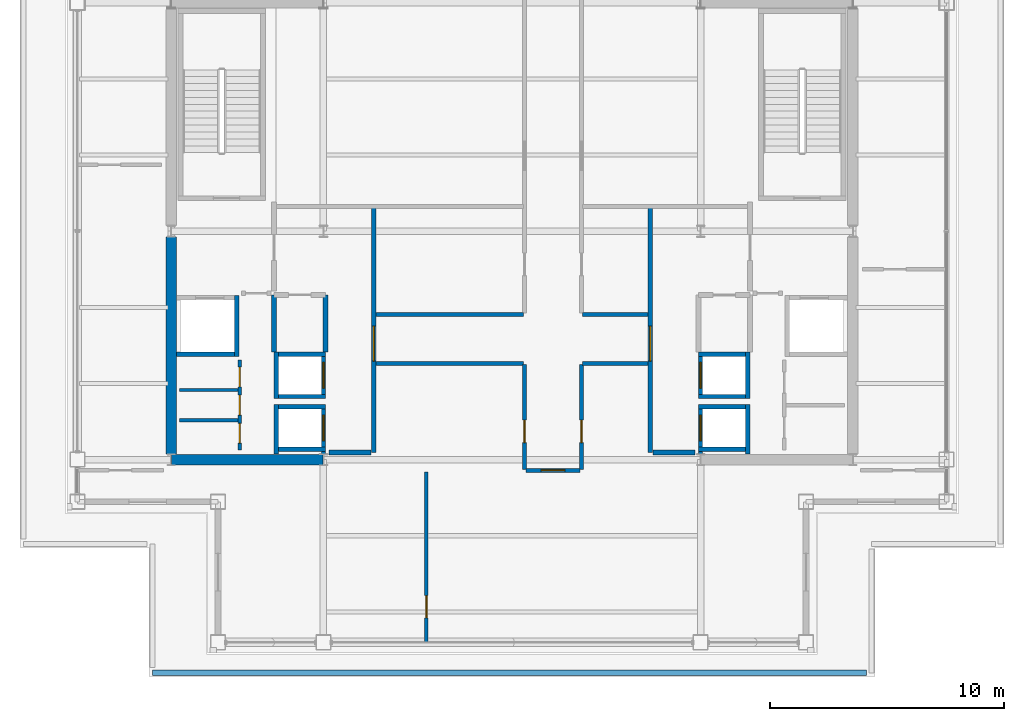
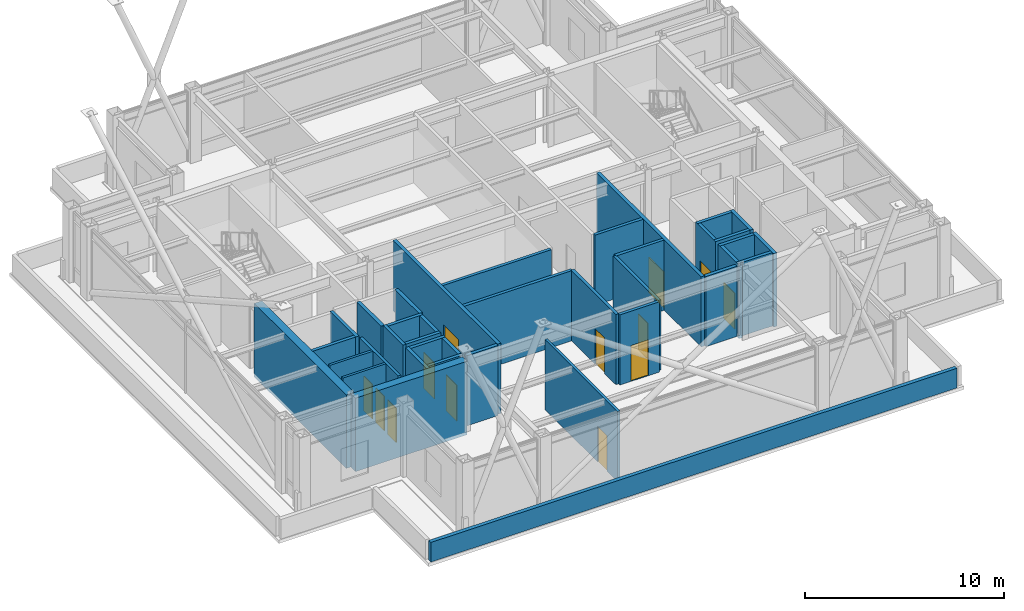
# One storey, part 15 of 19: 38 walls, 13 doors, 13 openings.
"""IFC4 building model written with IfcOpenShell, lengths in metres."""

from ifc_helpers import new_model, si_unit, direction, frame, frame_2d, origin, place, context, subcontext, project, spatial, rectangle, extrude, material, layer, layer_set, type_object, element, fill, save


model = new_model("IFC4")

# Units and contexts
model_context = context("Model", 3, precision=1e-05, world=origin(), true_north=direction((0.0, 1.0)))
body_context = subcontext(model_context, "Body", "Model", "MODEL_VIEW")
ifc_project = project(units=[si_unit("LENGTHUNIT", "METRE"), si_unit("AREAUNIT", "SQUARE_METRE"), si_unit("VOLUMEUNIT", "CUBIC_METRE"), si_unit("PLANEANGLEUNIT", "RADIAN"), si_unit("MASSUNIT", "GRAM", prefix="KILO")], contexts=[model_context])

# Site, building, storey
site_placement = place(None, origin())
site = spatial("IfcSite", under=ifc_project, at=site_placement, CompositionType="ELEMENT")
building_placement = place(site_placement, origin())
building = spatial("IfcBuilding", under=site, at=building_placement, Name="Brelmoor Portico Tower", CompositionType="ELEMENT")
storey_placement = place(building_placement, frame((0.0, 0.0, 213.89990234375)))
storey = spatial("IfcBuildingStorey", under=building, at=storey_placement, Name="L56", CompositionType="ELEMENT", Elevation=213.89990234375)

# Walls
ifc_material_1 = material(Name="Concrete C50", Category="concrete")
ifc_layer_1 = layer(ifc_material_1, 0.449951171875)
ifc_layer_set_1 = layer_set([ifc_layer_1], Name="Concrete C50")
wall_type_1 = type_object("IfcWallType", Name="WL-CORE-450", PredefinedType="SHEAR", material=ifc_layer_set_1)
wall_1_placement = place(storey_placement, frame((-14.530029296875, -9.75, -0.199951171875), z_axis=(0.0, 0.0, 1.0), x_axis=(1.0, 0.0, 0.0)))
element("IfcWall", 1, at=wall_1_placement, inside=storey, type_object=wall_type_1, Name="L56 WC South Shear Wall", PredefinedType="SHEAR", context=body_context, shape_type="SweptSolid", body=[
    extrude(rectangle(XDim=6.4599609375, YDim=0.449951171875, at=frame_2d((3.22998046875, 0.0))), origin(), (0.0, 0.0, 1.0), 4.5),
])
wall_2_placement = place(storey_placement, frame((-14.550048828125, -9.5, -0.199951171875), z_axis=(0.0, 0.0, 1.0), x_axis=(0.0, 1.0, 0.0)))
element("IfcWall", 2, at=wall_2_placement, inside=storey, type_object=wall_type_1, Name="L56 WC Outer South Shear Wall", PredefinedType="SHEAR", context=body_context, shape_type="SweptSolid", body=[
    extrude(rectangle(XDim=9.25, YDim=0.449951171875, at=frame_2d((4.625, 0.0))), origin(), (0.0, 0.0, 1.0), 4.5),
])
ifc_material_2 = material(Name="Concrete C40 Parapet Upstand", Category="concrete")
ifc_layer_2 = layer(ifc_material_2, 0.219970703125)
ifc_layer_set_2 = layer_set([ifc_layer_2], Name="Concrete C40 Parapet Upstand")
wall_type_2 = type_object("IfcWallType", Name="WL-PARAPET-220", PredefinedType="PARAPET", material=ifc_layer_set_2)
wall_3_placement = place(storey_placement, frame((-15.35009765625, -18.85009765625, 0.0), z_axis=(0.0, 0.0, 1.0), x_axis=(1.0, 0.0, 0.0)))
element("IfcWall", 3, at=wall_3_placement, inside=storey, type_object=wall_type_2, Name="L56 Roof Parapet Wall 01", PredefinedType="PARAPET", context=body_context, shape_type="SweptSolid", body=[
    extrude(rectangle(XDim=30.47998046875, YDim=0.219970703125, at=frame_2d((15.239990234375, 0.0))), origin(), (0.0, 0.0, 1.0), 1.2001953125),
])
ifc_material_3 = material(Name="Insulated Stud Suite Partition", Category="gypsum")
ifc_layer_3 = layer(ifc_material_3, 0.139892578125)
ifc_layer_set_3 = layer_set([ifc_layer_3], Name="Insulated Stud Suite Partition")
wall_type_3 = type_object("IfcWallType", Name="WL-PART-140", PredefinedType="PARTITIONING", material=ifc_layer_set_3)
for number, where, z_axis, x_axis, name in (
    (4, (-11.699951171875, -8.066650390625, 0.0), (0.0, 0.0, 1.0), (-1.0, 0.0, 0.0), "L56 W Core WC Divider 1"),
    (5, (-11.699951171875, -6.783203125, 0.0), (0.0, 0.0, 1.0), (-1.0, 0.0, 0.0), "L56 W Core WC Divider 2"),
):
    element("IfcWall", number, at=place(storey_placement, frame(where, z_axis=z_axis, x_axis=x_axis)), inside=storey, type_object=wall_type_3, Name=name, PredefinedType="PARTITIONING", context=body_context, shape_type="SweptSolid", body=[
        extrude(rectangle(XDim=2.5, YDim=0.139892578125, at=frame_2d((1.25, 0.0))), origin(), (0.0, 0.0, 1.0), 4.300048828125),
    ])

# Wall, opening, door
ifc_material_4 = material(Name="Wet-Area Moisture-Resistant Partition", Category="gypsum")
ifc_layer_4 = layer(ifc_material_4, 0.14990234375)
ifc_layer_set_4 = layer_set([ifc_layer_4], Name="Wet-Area Moisture-Resistant Partition")
wall_type_4 = type_object("IfcWallType", Name="WL-PART-150", PredefinedType="PARTITIONING", material=ifc_layer_set_4)
wall_4_placement = place(storey_placement, frame((-3.651123046875, -17.56005859375, 0.0), z_axis=(0.0, 0.0, 1.0), x_axis=(0.0, 1.0, 0.0)))
wall_4 = element("IfcWall", 6, at=wall_4_placement, inside=storey, type_object=wall_type_4, Name="L56 South Suite Partition 1", PredefinedType="PARTITIONING", context=body_context, shape_type="SweptSolid", body=[
    extrude(rectangle(XDim=7.2900390625, YDim=0.14990234375, at=frame_2d((3.64501953125, 0.0))), origin(), (0.0, 0.0, 1.0), 4.300048828125),
])
opening_1_placement = place(wall_4_placement, frame((1.050048828125, 0.0, 0.0)))
opening_1 = element("IfcOpeningElement", 7, at=opening_1_placement, cuts=wall_4, Name="Opening D-IN2", PredefinedType="OPENING", context=body_context, shape_type="SweptSolid", body=[
    extrude(rectangle(XDim=0.9599609375, YDim=2.179931640625, at=frame_2d((0.47998046875, 1.08984375))), frame((0.0, 0.0849609375, 0.0), z_axis=(0.0, -1.0, 0.0), x_axis=(1.0, 0.0, 0.0)), (0.0, 0.0, 1.0), 0.169921875),
])
ifc_material_5 = material(Name="Lacquered Timber Suite Door", Category="wood")
door_type_1 = type_object("IfcDoorType", Name="DR-INT-950", OperationType="NOTDEFINED", PredefinedType="DOOR", material=ifc_material_5)
door_1_placement = place(opening_1_placement, origin())
door_1 = element("IfcDoor", 8, at=door_1_placement, inside=storey, type_object=door_type_1, Name="D-2351 L56 South Suite Connecting Door 1", OperationType="SINGLE_SWING_LEFT", OverallHeight=2.179931640625, OverallWidth=0.9599609375, PredefinedType="DOOR", context=body_context, shape_type="SweptSolid", body=[
    extrude(rectangle(XDim=0.9599609375, YDim=2.179931640625, at=frame_2d((0.47998046875, 1.08984375))), frame((0.0, 0.02490234375, 0.0), z_axis=(0.0, -1.0, 0.0), x_axis=(1.0, 0.0, 0.0)), (0.0, 0.0, 1.0), 0.050048828125),
])
fill(opening_1, door_1)

# Wall, openings, doors
ifc_material_6 = material(Name="Twin-Frame Acoustic Partition", Category="gypsum")
ifc_layer_5 = layer(ifc_material_6, 0.159912109375)
ifc_layer_set_5 = layer_set([ifc_layer_5], Name="Twin-Frame Acoustic Partition")
wall_type_5 = type_object("IfcWallType", Name="WL-PART-160", PredefinedType="PARTITIONING", material=ifc_layer_set_5)
wall_5_placement = place(storey_placement, frame((-11.6201171875, -9.35009765625, 0.0), z_axis=(0.0, 0.0, 1.0), x_axis=(0.0, 1.0, 0.0)))
wall_5 = element("IfcWall", 9, at=wall_5_placement, inside=storey, type_object=wall_type_5, Name="L56 W Core Service Front Wall", PredefinedType="PARTITIONING", context=body_context, shape_type="SweptSolid", body=[
    extrude(rectangle(XDim=3.85009765625, YDim=0.159912109375, at=frame_2d((1.925048828125, 0.0))), origin(), (0.0, 0.0, 1.0), 4.300048828125),
])
opening_2_placement = place(wall_5_placement, frame((0.300048828125, 0.0, 0.0)))
opening_2 = element("IfcOpeningElement", 10, at=opening_2_placement, cuts=wall_5, Name="Opening D-WC1", PredefinedType="OPENING", context=body_context, shape_type="SweptSolid", body=[
    extrude(rectangle(XDim=0.85009765625, YDim=2.1201171875, at=frame_2d((0.425048828125, 1.06005859375))), frame((0.0, 0.08984375, 0.0), z_axis=(0.0, -1.0, 0.0), x_axis=(1.0, 0.0, 0.0)), (0.0, 0.0, 1.0), 0.179931640625),
])
opening_3_placement = place(wall_5_placement, frame((1.5, 0.0, 0.0)))
opening_3 = element("IfcOpeningElement", 11, at=opening_3_placement, cuts=wall_5, Name="Opening D-WC1", PredefinedType="OPENING", context=body_context, shape_type="SweptSolid", body=[
    extrude(rectangle(XDim=0.85009765625, YDim=2.1201171875, at=frame_2d((0.425048828125, 1.06005859375))), frame((0.0, 0.08984375, 0.0), z_axis=(0.0, -1.0, 0.0), x_axis=(1.0, 0.0, 0.0)), (0.0, 0.0, 1.0), 0.179931640625),
])
opening_4_placement = place(wall_5_placement, frame((2.699951171875, 0.0, 0.0)))
opening_4 = element("IfcOpeningElement", 12, at=opening_4_placement, cuts=wall_5, Name="Opening D-WC1", PredefinedType="OPENING", context=body_context, shape_type="SweptSolid", body=[
    extrude(rectangle(XDim=0.85009765625, YDim=2.1201171875, at=frame_2d((0.425048828125, 1.06005859375))), frame((0.0, 0.08984375, 0.0), z_axis=(0.0, -1.0, 0.0), x_axis=(1.0, 0.0, 0.0)), (0.0, 0.0, 1.0), 0.179931640625),
])
ifc_material_7 = material(Name="Moisture-Resistant Laminate WC Door", Category="timber")
door_type_2 = type_object("IfcDoorType", Name="DR-WC-850", OperationType="NOTDEFINED", PredefinedType="DOOR", material=ifc_material_7)
door_2_placement = place(opening_2_placement, origin())
door_2 = element("IfcDoor", 13, at=door_2_placement, inside=storey, type_object=door_type_2, Name="D-2336 L56 W Accessible WC Door", OperationType="SINGLE_SWING_LEFT", OverallHeight=2.1201171875, OverallWidth=0.85009765625, PredefinedType="DOOR", context=body_context, shape_type="SweptSolid", body=[
    extrude(rectangle(XDim=0.85009765625, YDim=2.1201171875, at=frame_2d((0.425048828125, 1.06005859375))), frame((0.0, 0.02490234375, 0.0), z_axis=(0.0, -1.0, 0.0), x_axis=(1.0, 0.0, 0.0)), (0.0, 0.0, 1.0), 0.050048828125),
])
fill(opening_2, door_2)
door_3_placement = place(opening_3_placement, origin())
door_3 = element("IfcDoor", 14, at=door_3_placement, inside=storey, type_object=door_type_2, Name="D-2337 L56 W Staff WC Door", OperationType="SINGLE_SWING_RIGHT", OverallHeight=2.1201171875, OverallWidth=0.85009765625, PredefinedType="DOOR", context=body_context, shape_type="SweptSolid", body=[
    extrude(rectangle(XDim=0.85009765625, YDim=2.1201171875, at=frame_2d((0.425048828125, 1.06005859375))), frame((0.0, 0.02490234375, 0.0), z_axis=(0.0, -1.0, 0.0), x_axis=(1.0, 0.0, 0.0)), (0.0, 0.0, 1.0), 0.050048828125),
])
fill(opening_3, door_3)
door_4_placement = place(opening_4_placement, origin())
door_4 = element("IfcDoor", 15, at=door_4_placement, inside=storey, type_object=door_type_2, Name="D-2338 L56 W Cleaner Store Door", OperationType="SINGLE_SWING_LEFT", OverallHeight=2.1201171875, OverallWidth=0.85009765625, PredefinedType="DOOR", context=body_context, shape_type="SweptSolid", body=[
    extrude(rectangle(XDim=0.85009765625, YDim=2.1201171875, at=frame_2d((0.425048828125, 1.06005859375))), frame((0.0, 0.02490234375, 0.0), z_axis=(0.0, -1.0, 0.0), x_axis=(1.0, 0.0, 0.0)), (0.0, 0.0, 1.0), 0.050048828125),
])
fill(opening_4, door_4)

# Walls
ifc_material_8 = material(Name="Acoustic Corridor Fire Partition", Category="gypsum")
ifc_layer_6 = layer(ifc_material_8, 0.179931640625)
ifc_layer_set_6 = layer_set([ifc_layer_6], Name="Acoustic Corridor Fire Partition")
wall_type_6 = type_object("IfcWallType", Name="WL-PART-180", PredefinedType="PARTITIONING", material=ifc_layer_set_6)
wall_6_placement = place(storey_placement, frame((-5.800048828125, -3.550048828125, 0.0), z_axis=(0.0, 0.0, 1.0), x_axis=(1.0, 0.0, 0.0)))
element("IfcWall", 16, at=wall_6_placement, inside=storey, type_object=wall_type_6, Name="L56 West Pantry South Wall", PredefinedType="PARTITIONING", context=body_context, shape_type="SweptSolid", body=[
    extrude(rectangle(XDim=6.2900390625, YDim=0.179931640625, at=frame_2d((3.14501953125, 0.0))), origin(), (0.0, 0.0, 1.0), 4.300048828125),
])
wall_7_placement = place(storey_placement, frame((3.010009765625, -3.550048828125, 0.0), z_axis=(0.0, 0.0, 1.0), x_axis=(1.0, 0.0, 0.0)))
element("IfcWall", 17, at=wall_7_placement, inside=storey, type_object=wall_type_6, Name="L56 East Office South Wall", PredefinedType="PARTITIONING", context=body_context, shape_type="SweptSolid", body=[
    extrude(rectangle(XDim=2.7900390625, YDim=0.179931640625, at=frame_2d((1.39501953125, 0.0))), origin(), (0.0, 0.0, 1.0), 4.300048828125),
])

# Wall, opening, door
wall_8_placement = place(storey_placement, frame((0.530029296875, -10.169921875, 0.0), z_axis=(0.0, 0.0, 1.0), x_axis=(0.0, 1.0, 0.0)))
wall_8 = element("IfcWall", 18, at=wall_8_placement, inside=storey, type_object=wall_type_6, Name="L56 South Cross West Wall", PredefinedType="PARTITIONING", context=body_context, shape_type="SweptSolid", body=[
    extrude(rectangle(XDim=4.489990234375, YDim=0.179931640625, at=frame_2d((2.2451171875, 0.0))), origin(), (0.0, 0.0, 1.0), 4.300048828125),
])
opening_5_placement = place(wall_8_placement, frame((1.14990234375, 0.0, 0.0)))
opening_5 = element("IfcOpeningElement", 19, at=opening_5_placement, cuts=wall_8, Name="Opening D-IN2", PredefinedType="OPENING", context=body_context, shape_type="SweptSolid", body=[
    extrude(rectangle(XDim=0.9599609375, YDim=2.179931640625, at=frame_2d((0.47998046875, 1.08984375))), frame((0.0, 0.099853515625, 0.0), z_axis=(0.0, -1.0, 0.0), x_axis=(1.0, 0.0, 0.0)), (0.0, 0.0, 1.0), 0.199951171875),
])
door_5_placement = place(opening_5_placement, origin())
door_5 = element("IfcDoor", 20, at=door_5_placement, inside=storey, type_object=door_type_1, Name="D-2329 L56 South-West Archive Room Door", OperationType="SINGLE_SWING_LEFT", OverallHeight=2.179931640625, OverallWidth=0.9599609375, PredefinedType="DOOR", context=body_context, shape_type="SweptSolid", body=[
    extrude(rectangle(XDim=0.9599609375, YDim=2.179931640625, at=frame_2d((0.47998046875, 1.08984375))), frame((0.0, 0.02490234375, 0.0), z_axis=(0.0, -1.0, 0.0), x_axis=(1.0, 0.0, 0.0)), (0.0, 0.0, 1.0), 0.050048828125),
])
fill(opening_5, door_5)

wall_9_placement = place(storey_placement, frame((2.969970703125, -10.169921875, 0.0), z_axis=(0.0, 0.0, 1.0), x_axis=(0.0, 1.0, 0.0)))
wall_9 = element("IfcWall", 21, at=wall_9_placement, inside=storey, type_object=wall_type_6, Name="L56 South Cross East Wall", PredefinedType="PARTITIONING", context=body_context, shape_type="SweptSolid", body=[
    extrude(rectangle(XDim=4.489990234375, YDim=0.179931640625, at=frame_2d((2.2451171875, 0.0))), origin(), (0.0, 0.0, 1.0), 4.300048828125),
])
opening_6_placement = place(wall_9_placement, frame((1.14990234375, 0.0, 0.0)))
opening_6 = element("IfcOpeningElement", 22, at=opening_6_placement, cuts=wall_9, Name="Opening D-IN2", PredefinedType="OPENING", context=body_context, shape_type="SweptSolid", body=[
    extrude(rectangle(XDim=0.9599609375, YDim=2.179931640625, at=frame_2d((0.47998046875, 1.08984375))), frame((0.0, 0.099853515625, 0.0), z_axis=(0.0, -1.0, 0.0), x_axis=(1.0, 0.0, 0.0)), (0.0, 0.0, 1.0), 0.199951171875),
])
door_6_placement = place(opening_6_placement, origin())
door_6 = element("IfcDoor", 23, at=door_6_placement, inside=storey, type_object=door_type_1, Name="D-2328 L56 South-East Partner Office Door", OperationType="SINGLE_SWING_RIGHT", OverallHeight=2.179931640625, OverallWidth=0.9599609375, PredefinedType="DOOR", context=body_context, shape_type="SweptSolid", body=[
    extrude(rectangle(XDim=0.9599609375, YDim=2.179931640625, at=frame_2d((0.47998046875, 1.08984375))), frame((0.0, 0.02490234375, 0.0), z_axis=(0.0, -1.0, 0.0), x_axis=(1.0, 0.0, 0.0)), (0.0, 0.0, 1.0), 0.050048828125),
])
fill(opening_6, door_6)

# Walls
wall_10_placement = place(storey_placement, frame((-5.800048828125, -5.64990234375, 0.0), z_axis=(0.0, 0.0, 1.0), x_axis=(1.0, 0.0, 0.0)))
element("IfcWall", 24, at=wall_10_placement, inside=storey, type_object=wall_type_6, Name="L56 South-West Chamber Top Wall", PredefinedType="PARTITIONING", context=body_context, shape_type="SweptSolid", body=[
    extrude(rectangle(XDim=6.2900390625, YDim=0.179931640625, at=frame_2d((3.14501953125, 0.0))), origin(), (0.0, 0.0, 1.0), 4.300048828125),
])
wall_11_placement = place(storey_placement, frame((3.010009765625, -5.64990234375, 0.0), z_axis=(0.0, 0.0, 1.0), x_axis=(1.0, 0.0, 0.0)))
element("IfcWall", 25, at=wall_11_placement, inside=storey, type_object=wall_type_6, Name="L56 South-East Chamber Top Wall", PredefinedType="PARTITIONING", context=body_context, shape_type="SweptSolid", body=[
    extrude(rectangle(XDim=2.7900390625, YDim=0.179931640625, at=frame_2d((1.39501953125, 0.0))), origin(), (0.0, 0.0, 1.0), 4.300048828125),
])

# Wall, opening, door
wall_12_placement = place(storey_placement, frame((0.60009765625, -10.2099609375, 0.0), z_axis=(0.0, 0.0, 1.0), x_axis=(1.0, 0.0, 0.0)))
wall_12 = element("IfcWall", 26, at=wall_12_placement, inside=storey, type_object=wall_type_6, Name="L56 South Corridor Partition", PredefinedType="PARTITIONING", context=body_context, shape_type="SweptSolid", body=[
    extrude(rectangle(XDim=2.2998046875, YDim=0.179931640625, at=frame_2d((1.14990234375, 0.0))), origin(), (0.0, 0.0, 1.0), 4.300048828125),
])
opening_7_placement = place(wall_12_placement, frame((0.639892578125, 0.0, 0.0)))
opening_7 = element("IfcOpeningElement", 27, at=opening_7_placement, cuts=wall_12, Name="Opening D-OF1", PredefinedType="OPENING", context=body_context, shape_type="SweptSolid", body=[
    extrude(rectangle(XDim=1.02001953125, YDim=2.199951171875, at=frame_2d((0.510009765625, 1.10009765625))), frame((0.0, 0.099853515625, 0.0), z_axis=(0.0, -1.0, 0.0), x_axis=(1.0, 0.0, 0.0)), (0.0, 0.0, 1.0), 0.199951171875),
])
ifc_material_9 = material(Name="Hardwood Acoustic Veneer Door", Category="wood")
door_type_3 = type_object("IfcDoorType", Name="DR-OFFICE-1000", OperationType="NOTDEFINED", PredefinedType="DOOR", material=ifc_material_9)
door_7_placement = place(opening_7_placement, origin())
door_7 = element("IfcDoor", 28, at=door_7_placement, inside=storey, type_object=door_type_3, Name="D-2350 L56 South Sky-Lobby Transfer Lounge 2 Door", OperationType="SINGLE_SWING_RIGHT", OverallHeight=2.199951171875, OverallWidth=1.02001953125, PredefinedType="DOOR", context=body_context, shape_type="SweptSolid", body=[
    extrude(rectangle(XDim=1.02001953125, YDim=2.199951171875, at=frame_2d((0.510009765625, 1.10009765625))), frame((0.0, 0.02490234375, 0.0), z_axis=(0.0, -1.0, 0.0), x_axis=(1.0, 0.0, 0.0)), (0.0, 0.0, 1.0), 0.050048828125),
])
fill(opening_7, door_7)

ifc_material_10 = material(Name="Double-Stud Gypsum Fire Partition", Category="gypsum")
ifc_layer_7 = layer(ifc_material_10, 0.199951171875)
ifc_layer_set_7 = layer_set([ifc_layer_7], Name="Double-Stud Gypsum Fire Partition")
wall_type_7 = type_object("IfcWallType", Name="WL-PART-200", PredefinedType="PARTITIONING", material=ifc_layer_set_7)
wall_13_placement = place(storey_placement, frame((-5.89990234375, -9.449951171875, 0.0), z_axis=(0.0, 0.0, 1.0), x_axis=(0.0, 1.0, 0.0)))
wall_13 = element("IfcWall", 29, at=wall_13_placement, inside=storey, type_object=wall_type_7, Name="L56 W Core Lobby Compartment Wall", PredefinedType="PARTITIONING", context=body_context, shape_type="SweptSolid", body=[
    extrude(rectangle(XDim=10.5, YDim=0.199951171875, at=frame_2d((5.25, 0.0))), origin(), (0.0, 0.0, 1.0), 4.300048828125),
])
opening_8_placement = place(wall_13_placement, frame((3.89990234375, 0.0, 0.0)))
opening_8 = element("IfcOpeningElement", 30, at=opening_8_placement, cuts=wall_13, Name="Opening D-LB1", PredefinedType="OPENING", context=body_context, shape_type="SweptSolid", body=[
    extrude(rectangle(XDim=1.5, YDim=2.199951171875, at=frame_2d((0.75, 1.10009765625))), frame((0.0, 0.10986328125, 0.0), z_axis=(0.0, -1.0, 0.0), x_axis=(1.0, 0.0, 0.0)), (0.0, 0.0, 1.0), 0.219970703125),
])
ifc_material_11 = material(Name="Double-Leaf Glazed Steel Fire Door", Category="steel")
door_type_4 = type_object("IfcDoorType", Name="DR-LOBBY-1500", OperationType="NOTDEFINED", PredefinedType="DOOR", material=ifc_material_11)
door_8_placement = place(opening_8_placement, origin())
door_8 = element("IfcDoor", 31, at=door_8_placement, inside=storey, type_object=door_type_4, Name="D-2344 L56 W Lift Lobby Main Door", OperationType="DOUBLE_DOOR_SINGLE_SWING", OverallHeight=2.199951171875, OverallWidth=1.5, PredefinedType="DOOR", context=body_context, shape_type="SweptSolid", body=[
    extrude(rectangle(XDim=1.5, YDim=2.199951171875, at=frame_2d((0.75, 1.10009765625))), frame((0.0, 0.02490234375, 0.0), z_axis=(0.0, -1.0, 0.0), x_axis=(1.0, 0.0, 0.0)), (0.0, 0.0, 1.0), 0.050048828125),
])
fill(opening_8, door_8)

# Walls
wall_14_placement = place(storey_placement, frame((-6.02001953125, -9.449951171875, 0.0), z_axis=(0.0, 0.0, 1.0), x_axis=(-1.0, 0.0, 0.0)))
element("IfcWall", 32, at=wall_14_placement, inside=storey, type_object=wall_type_7, Name="L56 W Lift Lobby South End Wall", PredefinedType="PARTITIONING", context=body_context, shape_type="SweptSolid", body=[
    extrude(rectangle(XDim=1.800048828125, YDim=0.199951171875, at=frame_2d((0.89990234375, 0.0))), origin(), (0.0, 0.0, 1.0), 4.300048828125),
])
for number, where, z_axis, x_axis, name in (
    (33, (-7.9599609375, -5.159912109375, 0.0), (0.0, 0.0, 1.0), (0.0, 1.0, 0.0), "L56 W Electrical Switchgear Closet Inner Wall"),
    (34, (-10.159912109375, -5.159912109375, 0.0), (0.0, 0.0, 1.0), (0.0, 1.0, 0.0), "L56 W Electrical Switchgear Closet Outer Wall"),
):
    element("IfcWall", number, at=place(storey_placement, frame(where, z_axis=z_axis, x_axis=x_axis)), inside=storey, type_object=wall_type_7, Name=name, PredefinedType="PARTITIONING", context=body_context, shape_type="SweptSolid", body=[
        extrude(rectangle(XDim=2.43994140625, YDim=0.199951171875, at=frame_2d((1.219970703125, 0.0))), origin(), (0.0, 0.0, 1.0), 4.300048828125),
    ])

# Wall, opening, door
wall_15_placement = place(storey_placement, frame((5.89990234375, -9.449951171875, 0.0), z_axis=(0.0, 0.0, 1.0), x_axis=(0.0, 1.0, 0.0)))
wall_15 = element("IfcWall", 35, at=wall_15_placement, inside=storey, type_object=wall_type_7, Name="L56 E Core Lobby Compartment Wall", PredefinedType="PARTITIONING", context=body_context, shape_type="SweptSolid", body=[
    extrude(rectangle(XDim=10.5, YDim=0.199951171875, at=frame_2d((5.25, 0.0))), origin(), (0.0, 0.0, 1.0), 4.300048828125),
])
opening_9_placement = place(wall_15_placement, frame((3.89990234375, 0.0, 0.0)))
opening_9 = element("IfcOpeningElement", 36, at=opening_9_placement, cuts=wall_15, Name="Opening D-LB1", PredefinedType="OPENING", context=body_context, shape_type="SweptSolid", body=[
    extrude(rectangle(XDim=1.5, YDim=2.199951171875, at=frame_2d((0.75, 1.10009765625))), frame((0.0, 0.10986328125, 0.0), z_axis=(0.0, -1.0, 0.0), x_axis=(1.0, 0.0, 0.0)), (0.0, 0.0, 1.0), 0.219970703125),
])
door_9_placement = place(opening_9_placement, origin())
door_9 = element("IfcDoor", 37, at=door_9_placement, inside=storey, type_object=door_type_4, Name="D-2343 L56 E Lift Lobby Main Door", OperationType="DOUBLE_DOOR_SINGLE_SWING", OverallHeight=2.199951171875, OverallWidth=1.5, PredefinedType="DOOR", context=body_context, shape_type="SweptSolid", body=[
    extrude(rectangle(XDim=1.5, YDim=2.199951171875, at=frame_2d((0.75, 1.10009765625))), frame((0.0, 0.02490234375, 0.0), z_axis=(0.0, -1.0, 0.0), x_axis=(1.0, 0.0, 0.0)), (0.0, 0.0, 1.0), 0.050048828125),
])
fill(opening_9, door_9)

# Wall
wall_16_placement = place(storey_placement, frame((6.02001953125, -9.449951171875, 0.0), z_axis=(0.0, 0.0, 1.0), x_axis=(1.0, 0.0, 0.0)))
element("IfcWall", 38, at=wall_16_placement, inside=storey, type_object=wall_type_7, Name="L56 E Lift Lobby South End Wall", PredefinedType="PARTITIONING", context=body_context, shape_type="SweptSolid", body=[
    extrude(rectangle(XDim=1.800048828125, YDim=0.199951171875, at=frame_2d((0.89990234375, 0.0))), origin(), (0.0, 0.0, 1.0), 4.300048828125),
])

# Wall, opening, door
ifc_material_12 = material(Name="Precast Concrete C40", Category="concrete")
ifc_layer_8 = layer(ifc_material_12, 0.18994140625)
ifc_layer_set_8 = layer_set([ifc_layer_8], Name="Precast Concrete C40")
wall_type_8 = type_object("IfcWallType", Name="WL-SHAFT-180", PredefinedType="SOLIDWALL", material=ifc_layer_set_8)
wall_17_placement = place(storey_placement, frame((-8.044921875, -9.52001953125, -0.199951171875), z_axis=(0.0, 0.0, 1.0), x_axis=(0.0, 1.0, 0.0)))
wall_17 = element("IfcWall", 39, at=wall_17_placement, inside=storey, type_object=wall_type_8, Name="L56 Lift PH1 Hoistway Front Wall", PredefinedType="SOLIDWALL", context=body_context, shape_type="SweptSolid", body=[
    extrude(rectangle(XDim=2.1201171875, YDim=0.18994140625, at=frame_2d((1.06005859375, 0.0))), origin(), (0.0, 0.0, 1.0), 4.5),
])
opening_10_placement = place(wall_17_placement, frame((0.570068359375, 0.0, 0.199951171875)))
opening_10 = element("IfcOpeningElement", 40, at=opening_10_placement, cuts=wall_17, Name="Opening LD-01", PredefinedType="OPENING", context=body_context, shape_type="SweptSolid", body=[
    extrude(rectangle(XDim=1.10009765625, YDim=2.199951171875, at=frame_2d((0.550048828125, 1.10009765625))), frame((0.0, 0.10498046875, 0.0), z_axis=(0.0, -1.0, 0.0), x_axis=(1.0, 0.0, 0.0)), (0.0, 0.0, 1.0), 0.2099609375),
])
ifc_material_13 = material(Name="Brushed Stainless Steel Sliding Lift Door", Category="steel")
door_type_5 = type_object("IfcDoorType", Name="DR-LIFT-1100", OperationType="NOTDEFINED", PredefinedType="DOOR", material=ifc_material_13)
door_10_placement = place(opening_10_placement, origin())
door_10 = element("IfcDoor", 41, at=door_10_placement, inside=storey, type_object=door_type_5, Name="D-2360 L56 Lift PH1 Sliding Landing Door", OperationType="SLIDING_TO_LEFT", OverallHeight=2.199951171875, OverallWidth=1.10009765625, PredefinedType="DOOR", context=body_context, shape_type="SweptSolid", body=[
    extrude(rectangle(XDim=1.10009765625, YDim=2.199951171875, at=frame_2d((0.550048828125, 1.10009765625))), frame((0.0, 0.02490234375, 0.0), z_axis=(0.0, -1.0, 0.0), x_axis=(1.0, 0.0, 0.0)), (0.0, 0.0, 1.0), 0.050048828125),
])
fill(opening_10, door_10)

# Walls
wall_18_placement = place(storey_placement, frame((-10.054931640625, -9.52001953125, -0.199951171875), z_axis=(0.0, 0.0, 1.0), x_axis=(0.0, 1.0, 0.0)))
element("IfcWall", 42, at=wall_18_placement, inside=storey, type_object=wall_type_8, Name="L56 Lift PH1 Hoistway Back Wall", PredefinedType="SOLIDWALL", context=body_context, shape_type="SweptSolid", body=[
    extrude(rectangle(XDim=2.1201171875, YDim=0.18994140625, at=frame_2d((1.06005859375, 0.0))), origin(), (0.0, 0.0, 1.0), 4.5),
])
for number, where, z_axis, x_axis, name in (
    (43, (-10.14990234375, -7.4951171875, -0.199951171875), (0.0, 0.0, 1.0), (1.0, 0.0, 0.0), "L56 Lift PH1 Hoistway North Wall"),
    (44, (-10.14990234375, -9.304931640625, -0.199951171875), (0.0, 0.0, 1.0), (1.0, 0.0, 0.0), "L56 Lift PH1 Hoistway South Wall"),
):
    element("IfcWall", number, at=place(storey_placement, frame(where, z_axis=z_axis, x_axis=x_axis)), inside=storey, type_object=wall_type_8, Name=name, PredefinedType="SOLIDWALL", context=body_context, shape_type="SweptSolid", body=[
        extrude(rectangle(XDim=2.199951171875, YDim=0.18994140625, at=frame_2d((1.10009765625, 0.0))), origin(), (0.0, 0.0, 1.0), 4.5),
    ])

# Wall, opening, door
wall_19_placement = place(storey_placement, frame((-8.044921875, -7.14990234375, -0.199951171875), z_axis=(0.0, 0.0, 1.0), x_axis=(0.0, 1.0, 0.0)))
wall_19 = element("IfcWall", 45, at=wall_19_placement, inside=storey, type_object=wall_type_8, Name="L56 Lift PH2 Hoistway Front Wall", PredefinedType="SOLIDWALL", context=body_context, shape_type="SweptSolid", body=[
    extrude(rectangle(XDim=2.0, YDim=0.18994140625, at=frame_2d((1.0, 0.0))), origin(), (0.0, 0.0, 1.0), 4.5),
])
opening_11_placement = place(wall_19_placement, frame((0.449951171875, 0.0, 0.199951171875)))
opening_11 = element("IfcOpeningElement", 46, at=opening_11_placement, cuts=wall_19, Name="Opening LD-01", PredefinedType="OPENING", context=body_context, shape_type="SweptSolid", body=[
    extrude(rectangle(XDim=1.10009765625, YDim=2.199951171875, at=frame_2d((0.550048828125, 1.10009765625))), frame((0.0, 0.10498046875, 0.0), z_axis=(0.0, -1.0, 0.0), x_axis=(1.0, 0.0, 0.0)), (0.0, 0.0, 1.0), 0.2099609375),
])
door_11_placement = place(opening_11_placement, origin())
door_11 = element("IfcDoor", 47, at=door_11_placement, inside=storey, type_object=door_type_5, Name="D-2361 L56 Lift PH2 Sliding Landing Door", OperationType="SLIDING_TO_LEFT", OverallHeight=2.199951171875, OverallWidth=1.10009765625, PredefinedType="DOOR", context=body_context, shape_type="SweptSolid", body=[
    extrude(rectangle(XDim=1.10009765625, YDim=2.199951171875, at=frame_2d((0.550048828125, 1.10009765625))), frame((0.0, 0.02490234375, 0.0), z_axis=(0.0, -1.0, 0.0), x_axis=(1.0, 0.0, 0.0)), (0.0, 0.0, 1.0), 0.050048828125),
])
fill(opening_11, door_11)

# Walls
wall_20_placement = place(storey_placement, frame((-10.054931640625, -7.14990234375, -0.199951171875), z_axis=(0.0, 0.0, 1.0), x_axis=(0.0, 1.0, 0.0)))
element("IfcWall", 48, at=wall_20_placement, inside=storey, type_object=wall_type_8, Name="L56 Lift PH2 Hoistway Back Wall", PredefinedType="SOLIDWALL", context=body_context, shape_type="SweptSolid", body=[
    extrude(rectangle(XDim=2.0, YDim=0.18994140625, at=frame_2d((1.0, 0.0))), origin(), (0.0, 0.0, 1.0), 4.5),
])
for number, where, z_axis, x_axis, name in (
    (49, (-10.14990234375, -5.2451171875, -0.199951171875), (0.0, 0.0, 1.0), (1.0, 0.0, 0.0), "L56 Lift PH2 Hoistway North Wall"),
    (50, (-10.14990234375, -7.054931640625, -0.199951171875), (0.0, 0.0, 1.0), (1.0, 0.0, 0.0), "L56 Lift PH2 Hoistway South Wall"),
):
    element("IfcWall", number, at=place(storey_placement, frame(where, z_axis=z_axis, x_axis=x_axis)), inside=storey, type_object=wall_type_8, Name=name, PredefinedType="SOLIDWALL", context=body_context, shape_type="SweptSolid", body=[
        extrude(rectangle(XDim=2.199951171875, YDim=0.18994140625, at=frame_2d((1.10009765625, 0.0))), origin(), (0.0, 0.0, 1.0), 4.5),
    ])

# Wall, opening, door
wall_21_placement = place(storey_placement, frame((8.044921875, -9.52001953125, -0.199951171875), z_axis=(0.0, 0.0, 1.0), x_axis=(0.0, 1.0, 0.0)))
wall_21 = element("IfcWall", 51, at=wall_21_placement, inside=storey, type_object=wall_type_8, Name="L56 Lift PH3 Hoistway Front Wall", PredefinedType="SOLIDWALL", context=body_context, shape_type="SweptSolid", body=[
    extrude(rectangle(XDim=2.1201171875, YDim=0.18994140625, at=frame_2d((1.06005859375, 0.0))), origin(), (0.0, 0.0, 1.0), 4.5),
])
opening_12_placement = place(wall_21_placement, frame((0.570068359375, 0.0, 0.199951171875)))
opening_12 = element("IfcOpeningElement", 52, at=opening_12_placement, cuts=wall_21, Name="Opening LD-01", PredefinedType="OPENING", context=body_context, shape_type="SweptSolid", body=[
    extrude(rectangle(XDim=1.10009765625, YDim=2.199951171875, at=frame_2d((0.550048828125, 1.10009765625))), frame((0.0, 0.10498046875, 0.0), z_axis=(0.0, -1.0, 0.0), x_axis=(1.0, 0.0, 0.0)), (0.0, 0.0, 1.0), 0.2099609375),
])
door_12_placement = place(opening_12_placement, origin())
door_12 = element("IfcDoor", 53, at=door_12_placement, inside=storey, type_object=door_type_5, Name="D-2362 L56 Lift PH3 Sliding Landing Door", OperationType="SLIDING_TO_LEFT", OverallHeight=2.199951171875, OverallWidth=1.10009765625, PredefinedType="DOOR", context=body_context, shape_type="SweptSolid", body=[
    extrude(rectangle(XDim=1.10009765625, YDim=2.199951171875, at=frame_2d((0.550048828125, 1.10009765625))), frame((0.0, 0.02490234375, 0.0), z_axis=(0.0, -1.0, 0.0), x_axis=(1.0, 0.0, 0.0)), (0.0, 0.0, 1.0), 0.050048828125),
])
fill(opening_12, door_12)

# Walls
wall_22_placement = place(storey_placement, frame((10.054931640625, -9.52001953125, -0.199951171875), z_axis=(0.0, 0.0, 1.0), x_axis=(0.0, 1.0, 0.0)))
element("IfcWall", 54, at=wall_22_placement, inside=storey, type_object=wall_type_8, Name="L56 Lift PH3 Hoistway Back Wall", PredefinedType="SOLIDWALL", context=body_context, shape_type="SweptSolid", body=[
    extrude(rectangle(XDim=2.1201171875, YDim=0.18994140625, at=frame_2d((1.06005859375, 0.0))), origin(), (0.0, 0.0, 1.0), 4.5),
])
for number, where, z_axis, x_axis, name in (
    (55, (7.949951171875, -7.4951171875, -0.199951171875), (0.0, 0.0, 1.0), (1.0, 0.0, 0.0), "L56 Lift PH3 Hoistway North Wall"),
    (56, (7.949951171875, -9.304931640625, -0.199951171875), (0.0, 0.0, 1.0), (1.0, 0.0, 0.0), "L56 Lift PH3 Hoistway South Wall"),
):
    element("IfcWall", number, at=place(storey_placement, frame(where, z_axis=z_axis, x_axis=x_axis)), inside=storey, type_object=wall_type_8, Name=name, PredefinedType="SOLIDWALL", context=body_context, shape_type="SweptSolid", body=[
        extrude(rectangle(XDim=2.199951171875, YDim=0.18994140625, at=frame_2d((1.10009765625, 0.0))), origin(), (0.0, 0.0, 1.0), 4.5),
    ])

# Wall, opening, door
wall_23_placement = place(storey_placement, frame((8.044921875, -7.14990234375, -0.199951171875), z_axis=(0.0, 0.0, 1.0), x_axis=(0.0, 1.0, 0.0)))
wall_23 = element("IfcWall", 57, at=wall_23_placement, inside=storey, type_object=wall_type_8, Name="L56 Lift PH4 Hoistway Front Wall", PredefinedType="SOLIDWALL", context=body_context, shape_type="SweptSolid", body=[
    extrude(rectangle(XDim=2.0, YDim=0.18994140625, at=frame_2d((1.0, 0.0))), origin(), (0.0, 0.0, 1.0), 4.5),
])
opening_13_placement = place(wall_23_placement, frame((0.449951171875, 0.0, 0.199951171875)))
opening_13 = element("IfcOpeningElement", 58, at=opening_13_placement, cuts=wall_23, Name="Opening LD-01", PredefinedType="OPENING", context=body_context, shape_type="SweptSolid", body=[
    extrude(rectangle(XDim=1.10009765625, YDim=2.199951171875, at=frame_2d((0.550048828125, 1.10009765625))), frame((0.0, 0.10498046875, 0.0), z_axis=(0.0, -1.0, 0.0), x_axis=(1.0, 0.0, 0.0)), (0.0, 0.0, 1.0), 0.2099609375),
])
door_13_placement = place(opening_13_placement, origin())
door_13 = element("IfcDoor", 59, at=door_13_placement, inside=storey, type_object=door_type_5, Name="D-2363 L56 Lift PH4 Sliding Landing Door", OperationType="SLIDING_TO_LEFT", OverallHeight=2.199951171875, OverallWidth=1.10009765625, PredefinedType="DOOR", context=body_context, shape_type="SweptSolid", body=[
    extrude(rectangle(XDim=1.10009765625, YDim=2.199951171875, at=frame_2d((0.550048828125, 1.10009765625))), frame((0.0, 0.02490234375, 0.0), z_axis=(0.0, -1.0, 0.0), x_axis=(1.0, 0.0, 0.0)), (0.0, 0.0, 1.0), 0.050048828125),
])
fill(opening_13, door_13)

# Walls
wall_24_placement = place(storey_placement, frame((10.054931640625, -7.14990234375, -0.199951171875), z_axis=(0.0, 0.0, 1.0), x_axis=(0.0, 1.0, 0.0)))
element("IfcWall", 60, at=wall_24_placement, inside=storey, type_object=wall_type_8, Name="L56 Lift PH4 Hoistway Back Wall", PredefinedType="SOLIDWALL", context=body_context, shape_type="SweptSolid", body=[
    extrude(rectangle(XDim=2.0, YDim=0.18994140625, at=frame_2d((1.0, 0.0))), origin(), (0.0, 0.0, 1.0), 4.5),
])
for number, where, z_axis, x_axis, name in (
    (61, (7.949951171875, -5.2451171875, -0.199951171875), (0.0, 0.0, 1.0), (1.0, 0.0, 0.0), "L56 Lift PH4 Hoistway North Wall"),
    (62, (7.949951171875, -7.054931640625, -0.199951171875), (0.0, 0.0, 1.0), (1.0, 0.0, 0.0), "L56 Lift PH4 Hoistway South Wall"),
):
    element("IfcWall", number, at=place(storey_placement, frame(where, z_axis=z_axis, x_axis=x_axis)), inside=storey, type_object=wall_type_8, Name=name, PredefinedType="SOLIDWALL", context=body_context, shape_type="SweptSolid", body=[
        extrude(rectangle(XDim=2.199951171875, YDim=0.18994140625, at=frame_2d((1.10009765625, 0.0))), origin(), (0.0, 0.0, 1.0), 4.5),
    ])
wall_25_placement = place(storey_placement, frame((-14.330078125, -5.2548828125, -0.199951171875), z_axis=(0.0, 0.0, 1.0), x_axis=(1.0, 0.0, 0.0)))
element("IfcWall", 63, at=wall_25_placement, inside=storey, type_object=wall_type_8, Name="L56 Firefighting Lift FF1 South Wall", PredefinedType="SOLIDWALL", context=body_context, shape_type="SweptSolid", body=[
    extrude(rectangle(XDim=2.68017578125, YDim=0.18994140625, at=frame_2d((1.340087890625, 0.0))), origin(), (0.0, 0.0, 1.0), 4.5),
])
wall_26_placement = place(storey_placement, frame((-11.7451171875, -5.35009765625, -0.199951171875), z_axis=(0.0, 0.0, 1.0), x_axis=(0.0, 1.0, 0.0)))
element("IfcWall", 64, at=wall_26_placement, inside=storey, type_object=wall_type_8, Name="L56 Firefighting Lift FF1 Inner Wall", PredefinedType="SOLIDWALL", context=body_context, shape_type="SweptSolid", body=[
    extrude(rectangle(XDim=2.60009765625, YDim=0.18994140625, at=frame_2d((1.300048828125, 0.0))), origin(), (0.0, 0.0, 1.0), 4.5),
])

save(model, "model.ifc")
